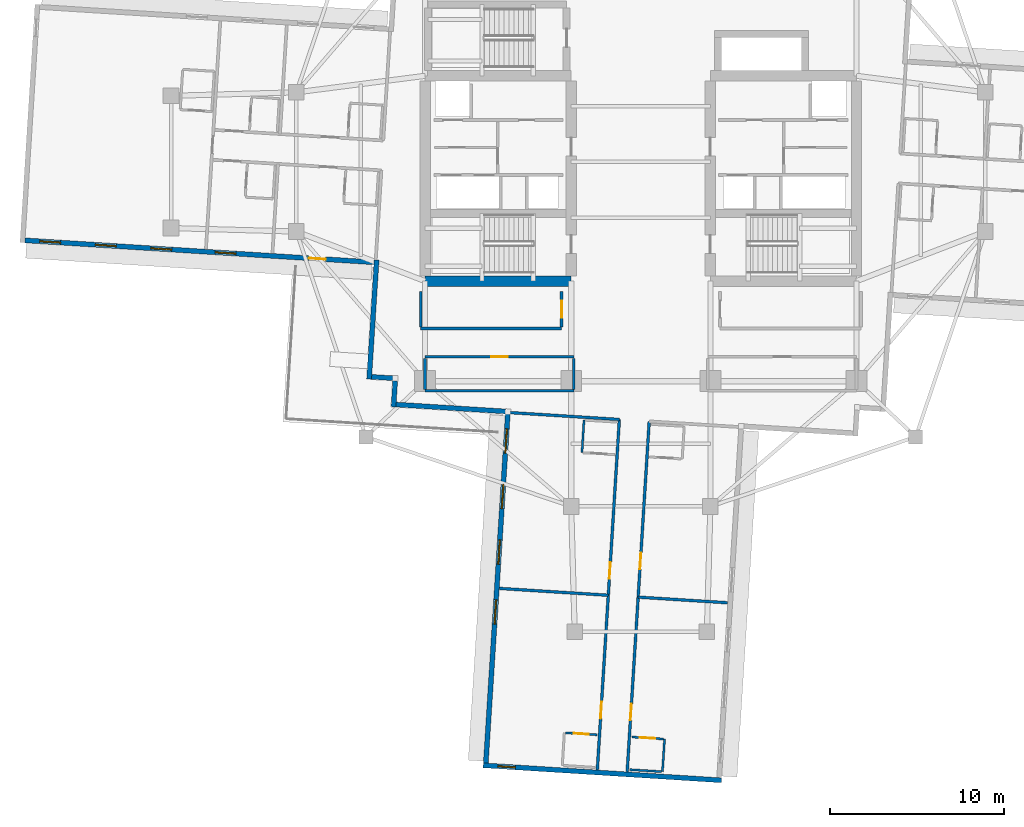
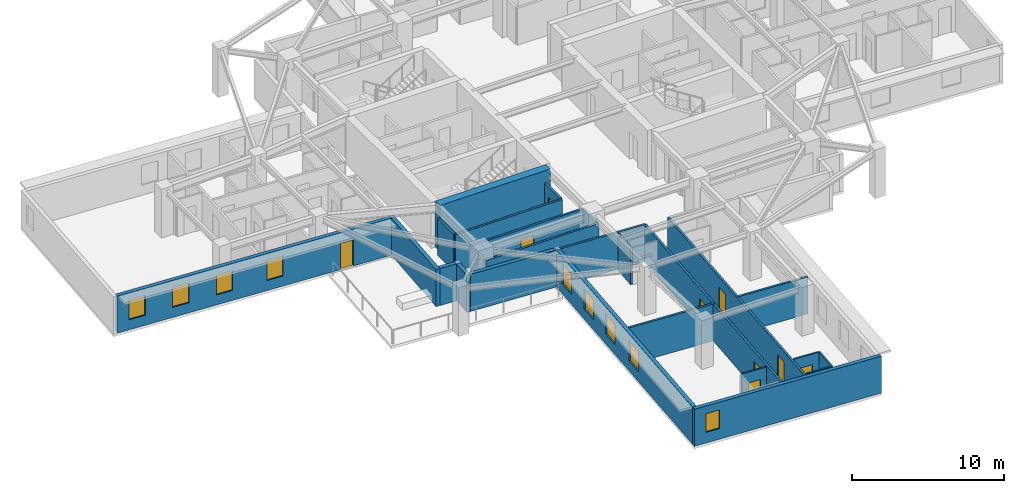
# One storey, part 3 of 14: 25 walls, 9 doors, 9 windows, 18 openings.
"""IFC4 building model written with IfcOpenShell, lengths in metres."""

from ifc_helpers import new_model, si_unit, direction, frame, frame_2d, origin, place, context, subcontext, project, spatial, rectangle, extrude, material, layer, layer_set, type_object, element, fill, save


model = new_model("IFC4")

# Units and contexts
model_context = context("Model", 3, precision=1e-05, world=origin(), true_north=direction((0.0, 1.0)))
body_context = subcontext(model_context, "Body", "Model", "MODEL_VIEW")
ifc_project = project(units=[si_unit("LENGTHUNIT", "METRE"), si_unit("AREAUNIT", "SQUARE_METRE"), si_unit("VOLUMEUNIT", "CUBIC_METRE"), si_unit("PLANEANGLEUNIT", "RADIAN"), si_unit("MASSUNIT", "GRAM", prefix="KILO")], contexts=[model_context])

# Site, building, storey
site_placement = place(None, origin())
site = spatial("IfcSite", under=ifc_project, at=site_placement, CompositionType="ELEMENT")
building_placement = place(site_placement, origin())
building = spatial("IfcBuilding", under=site, at=building_placement, Name="Qingluan Cross Belvedere", CompositionType="ELEMENT")
storey_placement = place(building_placement, frame((0.0, 0.0, 160.5)))
storey = spatial("IfcBuildingStorey", under=building, at=storey_placement, Name="L40", CompositionType="ELEMENT", Elevation=160.5)

# Walls
ifc_material_1 = material(Name="Concrete C60", Category="concrete")
ifc_layer_1 = layer(ifc_material_1, 0.60009765625, Name="CoreShearWall_600")
ifc_layer_set_1 = layer_set([ifc_layer_1], Name="Concrete C60")
wall_type_1 = type_object("IfcWallType", Name="CoreShearWall_600", PredefinedType="SHEAR", material=ifc_layer_set_1)
wall_1_placement = place(storey_placement, frame((-12.39990234375, -6.85009765625, 0.0), z_axis=(0.0, 0.0, 1.0), x_axis=(1.0, 0.0, 0.0)))
element("IfcWall", 1, at=wall_1_placement, inside=storey, type_object=wall_type_1, Name="Split core W shear wall L40-S", PredefinedType="SHEAR", context=body_context, shape_type="SweptSolid", body=[
    extrude(rectangle(XDim=8.39990234375, YDim=0.60009765625, at=frame_2d((4.199951171875, 0.0))), origin(), (0.0, 0.0, 1.0), 3.699951171875),
])
ifc_material_2 = material(Name="Gypsum plasterboard on steel stud acoustic partition", Category="steel")
ifc_layer_2 = layer(ifc_material_2, 0.159912109375, Name="CorridorPartition_160")
ifc_layer_set_2 = layer_set([ifc_layer_2], Name="Gypsum plasterboard on steel stud acoustic partition")
wall_type_2 = type_object("IfcWallType", Name="CorridorPartition_160", PredefinedType="PARTITIONING", material=ifc_layer_set_2)
wall_2_placement = place(storey_placement, frame((-12.39990234375, -13.14990234375, 0.0), z_axis=(0.0, 0.0, 1.0), x_axis=(1.0, 0.0, 0.0)))
element("IfcWall", 2, at=wall_2_placement, inside=storey, type_object=wall_type_2, Name="Partition L40:q_sw:S", PredefinedType="PARTITIONING", context=body_context, shape_type="SweptSolid", body=[
    extrude(rectangle(XDim=8.5498046875, YDim=0.159912109375, at=frame_2d((4.27490234375, 0.0))), origin(), (0.0, 0.0, 1.0), 2.9599609375),
])

# Wall, opening, door
wall_3_placement = place(storey_placement, frame((-12.39990234375, -11.199951171875, 0.0), z_axis=(0.0, 0.0, 1.0), x_axis=(1.0, 0.0, 0.0)))
wall_3 = element("IfcWall", 3, at=wall_3_placement, inside=storey, type_object=wall_type_2, Name="Partition L40:q_sw:N", PredefinedType="PARTITIONING", context=body_context, shape_type="SweptSolid", body=[
    extrude(rectangle(XDim=8.5498046875, YDim=0.159912109375, at=frame_2d((4.27490234375, 0.0))), origin(), (0.0, 0.0, 1.0), 2.9599609375),
])
opening_1_placement = place(wall_3_placement, frame((3.794921875, 0.0, 0.0)))
opening_1 = element("IfcOpeningElement", 4, at=opening_1_placement, cuts=wall_3, Name="Opening GD-10", PredefinedType="OPENING", context=body_context, shape_type="SweptSolid", body=[
    extrude(rectangle(XDim=0.9599609375, YDim=2.14990234375, at=frame_2d((0.47998046875, 1.074951171875))), frame((0.0, 0.08984375, 0.0), z_axis=(0.0, -1.0, 0.0), x_axis=(1.0, 0.0, 0.0)), (0.0, 0.0, 1.0), 0.179931640625),
])
ifc_material_3 = material(Name="Timber oak fire-rated acoustic guestroom door", Category="wood")
door_type_1 = type_object("IfcDoorType", Name="GuestEntryDoor_FD60", OperationType="NOTDEFINED", PredefinedType="DOOR", material=ifc_material_3)
door_1_placement = place(opening_1_placement, origin())
door_1 = element("IfcDoor", 5, at=door_1_placement, inside=storey, type_object=door_type_1, Name="Scholarly study salon L40 door", OperationType="SINGLE_SWING_RIGHT", OverallHeight=2.14990234375, OverallWidth=0.9599609375, PredefinedType="DOOR", context=body_context, shape_type="SweptSolid", body=[
    extrude(rectangle(XDim=0.9599609375, YDim=2.14990234375, at=frame_2d((0.47998046875, 1.074951171875))), frame((0.0, 0.02490234375, 0.0), z_axis=(0.0, -1.0, 0.0), x_axis=(1.0, 0.0, 0.0)), (0.0, 0.0, 1.0), 0.050048828125),
])
fill(opening_1, door_1)

# Walls
for number, where, z_axis, x_axis, name in (
    (6, (-12.39990234375, -13.06494140625, 0.0), (0.0, 0.0, 1.0), (0.0, 1.0, 0.0), "Partition L40:q_sw:W"),
    (7, (-3.85009765625, -13.06494140625, 0.0), (0.0, 0.0, 1.0), (0.0, 1.0, 0.0), "Partition L40:q_sw:E"),
):
    element("IfcWall", number, at=place(storey_placement, frame(where, z_axis=z_axis, x_axis=x_axis)), inside=storey, type_object=wall_type_2, Name=name, PredefinedType="PARTITIONING", context=body_context, shape_type="SweptSolid", body=[
        extrude(rectangle(XDim=1.780029296875, YDim=0.159912109375, at=frame_2d((0.89013671875, 0.0))), origin(), (0.0, 0.0, 1.0), 2.9599609375),
    ])
wall_4_placement = place(storey_placement, frame((-12.64990234375, -9.580078125, 0.0), z_axis=(0.0, 0.0, 1.0), x_axis=(1.0, 0.0, 0.0)))
element("IfcWall", 8, at=wall_4_placement, inside=storey, type_object=wall_type_2, Name="Partition L40:rec_st4_w:S", PredefinedType="PARTITIONING", context=body_context, shape_type="SweptSolid", body=[
    extrude(rectangle(XDim=8.099853515625, YDim=0.159912109375, at=frame_2d((4.0498046875, 0.0))), origin(), (0.0, 0.0, 1.0), 2.9599609375),
])
wall_5_placement = place(storey_placement, frame((-12.64990234375, -9.4951171875, 0.0), z_axis=(0.0, 0.0, 1.0), x_axis=(0.0, 1.0, 0.0)))
element("IfcWall", 9, at=wall_5_placement, inside=storey, type_object=wall_type_2, Name="Partition L40:rec_st4_w:W", PredefinedType="PARTITIONING", context=body_context, shape_type="SweptSolid", body=[
    extrude(rectangle(XDim=2.06005859375, YDim=0.159912109375, at=frame_2d((1.030029296875, 0.0))), origin(), (0.0, 0.0, 1.0), 2.9599609375),
])

# Wall, opening, door
wall_6_placement = place(storey_placement, frame((-4.550048828125, -9.4951171875, 0.0), z_axis=(0.0, 0.0, 1.0), x_axis=(0.0, 1.0, 0.0)))
wall_6 = element("IfcWall", 10, at=wall_6_placement, inside=storey, type_object=wall_type_2, Name="Partition L40:rec_st4_w:E", PredefinedType="PARTITIONING", context=body_context, shape_type="SweptSolid", body=[
    extrude(rectangle(XDim=2.06005859375, YDim=0.159912109375, at=frame_2d((1.030029296875, 0.0))), origin(), (0.0, 0.0, 1.0), 2.9599609375),
])
opening_2_placement = place(wall_6_placement, frame((0.550048828125, 0.0, 0.0)))
opening_2 = element("IfcOpeningElement", 11, at=opening_2_placement, cuts=wall_6, Name="Opening GD-10", PredefinedType="OPENING", context=body_context, shape_type="SweptSolid", body=[
    extrude(rectangle(XDim=0.9599609375, YDim=2.14990234375, at=frame_2d((0.47998046875, 1.074951171875))), frame((0.0, 0.08984375, 0.0), z_axis=(0.0, -1.0, 0.0), x_axis=(1.0, 0.0, 0.0)), (0.0, 0.0, 1.0), 0.179931640625),
])
door_2_placement = place(opening_2_placement, origin())
door_2 = element("IfcDoor", 12, at=door_2_placement, inside=storey, type_object=door_type_1, Name="Southwest club reading room L40 door", OperationType="SINGLE_SWING_LEFT", OverallHeight=2.14990234375, OverallWidth=0.9599609375, PredefinedType="DOOR", context=body_context, shape_type="SweptSolid", body=[
    extrude(rectangle(XDim=0.9599609375, YDim=2.14990234375, at=frame_2d((0.47998046875, 1.074951171875))), frame((0.0, 0.02490234375, 0.0), z_axis=(0.0, -1.0, 0.0), x_axis=(1.0, 0.0, 0.0)), (0.0, 0.0, 1.0), 0.050048828125),
])
fill(opening_2, door_2)

# Wall, openings, doors
wall_7_placement = place(storey_placement, frame((0.48486328125, -14.909912109375, 0.0), z_axis=(0.0, 0.0, 1.0), x_axis=(-0.062795509413, -0.998026414479, 0.0)))
wall_7 = element("IfcWall", 13, at=wall_7_placement, inside=storey, type_object=wall_type_2, Name="Partition L40:S:c0", PredefinedType="PARTITIONING", context=body_context, shape_type="SweptSolid", body=[
    extrude(rectangle(XDim=20.181884765625, YDim=0.159912109375, at=frame_2d((10.0908203125, 0.0))), origin(), (0.0, 0.0, 1.0), 2.9599609375),
])
opening_3_placement = place(wall_7_placement, frame((7.55908203125, 0.0, 0.0)))
opening_3 = element("IfcOpeningElement", 14, at=opening_3_placement, cuts=wall_7, Name="Opening GD-10", PredefinedType="OPENING", context=body_context, shape_type="SweptSolid", body=[
    extrude(rectangle(XDim=0.9599609375, YDim=2.14990234375, at=frame_2d((0.47998046875, 1.074951171875))), frame((0.0, 0.08984375, 0.0), z_axis=(0.0, -1.0, 0.0), x_axis=(1.0, 0.0, 0.0)), (0.0, 0.0, 1.0), 0.179931640625),
])
opening_4_placement = place(wall_7_placement, frame((16.260986328125, 0.0, 0.0)))
opening_4 = element("IfcOpeningElement", 15, at=opening_4_placement, cuts=wall_7, Name="Opening GD-10", PredefinedType="OPENING", context=body_context, shape_type="SweptSolid", body=[
    extrude(rectangle(XDim=0.9599609375, YDim=2.14990234375, at=frame_2d((0.47998046875, 1.074951171875))), frame((0.0, 0.08984375, 0.0), z_axis=(0.0, -1.0, 0.0), x_axis=(1.0, 0.0, 0.0)), (0.0, 0.0, 1.0), 0.179931640625),
])
door_3_placement = place(opening_3_placement, origin())
door_3 = element("IfcDoor", 16, at=door_3_placement, inside=storey, type_object=door_type_1, Name="Guest entry fire door 4017", OperationType="SINGLE_SWING_RIGHT", OverallHeight=2.14990234375, OverallWidth=0.9599609375, PredefinedType="DOOR", context=body_context, shape_type="SweptSolid", body=[
    extrude(rectangle(XDim=0.9599609375, YDim=2.14990234375, at=frame_2d((0.47998046875, 1.074951171875))), frame((0.0, 0.02490234375, 0.0), z_axis=(0.0, -1.0, 0.0), x_axis=(1.0, 0.0, 0.0)), (0.0, 0.0, 1.0), 0.050048828125),
])
fill(opening_3, door_3)
door_4_placement = place(opening_4_placement, origin())
door_4 = element("IfcDoor", 17, at=door_4_placement, inside=storey, type_object=door_type_1, Name="Guest entry fire door 4018", OperationType="SINGLE_SWING_RIGHT", OverallHeight=2.14990234375, OverallWidth=0.9599609375, PredefinedType="DOOR", context=body_context, shape_type="SweptSolid", body=[
    extrude(rectangle(XDim=0.9599609375, YDim=2.14990234375, at=frame_2d((0.47998046875, 1.074951171875))), frame((0.0, 0.02490234375, 0.0), z_axis=(0.0, -1.0, 0.0), x_axis=(1.0, 0.0, 0.0)), (0.0, 0.0, 1.0), 0.050048828125),
])
fill(opening_4, door_4)

# Wall
wall_8_placement = place(storey_placement, frame((-0.15087890625, -25.013916015625, 0.0), z_axis=(0.0, 0.0, 1.0), x_axis=(0.998026864455, -0.06278835741, 0.0)))
element("IfcWall", 18, at=wall_8_placement, inside=storey, type_object=wall_type_2, Name="Partition L40:S:d0_0", PredefinedType="PARTITIONING", context=body_context, shape_type="SweptSolid", body=[
    extrude(rectangle(XDim=5.152099609375, YDim=0.159912109375, at=frame_2d((2.576171875, 0.0))), origin(), (0.0, 0.0, 1.0), 2.9599609375),
])

# Wall, openings, doors
wall_9_placement = place(storey_placement, frame((-1.231689453125, -14.802001953125, 0.0), z_axis=(0.0, 0.0, 1.0), x_axis=(-0.062795509413, -0.998026414479, 0.0)))
wall_9 = element("IfcWall", 19, at=wall_9_placement, inside=storey, type_object=wall_type_2, Name="Partition L40:S:c1", PredefinedType="PARTITIONING", context=body_context, shape_type="SweptSolid", body=[
    extrude(rectangle(XDim=20.181884765625, YDim=0.159912109375, at=frame_2d((10.0908203125, 0.0))), origin(), (0.0, 0.0, 1.0), 2.9599609375),
])
opening_5_placement = place(wall_9_placement, frame((8.2119140625, 0.0, 0.0)))
opening_5 = element("IfcOpeningElement", 20, at=opening_5_placement, cuts=wall_9, Name="Opening GD-10", PredefinedType="OPENING", context=body_context, shape_type="SweptSolid", body=[
    extrude(rectangle(XDim=0.9599609375, YDim=2.14990234375, at=frame_2d((0.47998046875, 1.074951171875))), frame((0.0, 0.08984375, 0.0), z_axis=(0.0, -1.0, 0.0), x_axis=(1.0, 0.0, 0.0)), (0.0, 0.0, 1.0), 0.179931640625),
])
opening_6_placement = place(wall_9_placement, frame((16.260986328125, 0.0, 0.0)))
opening_6 = element("IfcOpeningElement", 21, at=opening_6_placement, cuts=wall_9, Name="Opening GD-10", PredefinedType="OPENING", context=body_context, shape_type="SweptSolid", body=[
    extrude(rectangle(XDim=0.9599609375, YDim=2.14990234375, at=frame_2d((0.47998046875, 1.074951171875))), frame((0.0, 0.08984375, 0.0), z_axis=(0.0, -1.0, 0.0), x_axis=(1.0, 0.0, 0.0)), (0.0, 0.0, 1.0), 0.179931640625),
])
door_5_placement = place(opening_5_placement, origin())
door_5 = element("IfcDoor", 22, at=door_5_placement, inside=storey, type_object=door_type_1, Name="Guest entry fire door 4019", OperationType="SINGLE_SWING_RIGHT", OverallHeight=2.14990234375, OverallWidth=0.9599609375, PredefinedType="DOOR", context=body_context, shape_type="SweptSolid", body=[
    extrude(rectangle(XDim=0.9599609375, YDim=2.14990234375, at=frame_2d((0.47998046875, 1.074951171875))), frame((0.0, 0.02490234375, 0.0), z_axis=(0.0, -1.0, 0.0), x_axis=(1.0, 0.0, 0.0)), (0.0, 0.0, 1.0), 0.050048828125),
])
fill(opening_5, door_5)
door_6_placement = place(opening_6_placement, origin())
door_6 = element("IfcDoor", 23, at=door_6_placement, inside=storey, type_object=door_type_1, Name="Guest entry fire door 4020", OperationType="SINGLE_SWING_RIGHT", OverallHeight=2.14990234375, OverallWidth=0.9599609375, PredefinedType="DOOR", context=body_context, shape_type="SweptSolid", body=[
    extrude(rectangle(XDim=0.9599609375, YDim=2.14990234375, at=frame_2d((0.47998046875, 1.074951171875))), frame((0.0, 0.02490234375, 0.0), z_axis=(0.0, -1.0, 0.0), x_axis=(1.0, 0.0, 0.0)), (0.0, 0.0, 1.0), 0.050048828125),
])
fill(opening_6, door_6)

# Walls
wall_10_placement = place(storey_placement, frame((-1.231689453125, -14.802001953125, 0.0), z_axis=(0.0, 0.0, 1.0), x_axis=(-0.998024810671, 0.062820993988, 0.0)))
element("IfcWall", 24, at=wall_10_placement, inside=storey, type_object=wall_type_2, Name="Partition L40:S:s1", PredefinedType="PARTITIONING", context=body_context, shape_type="SweptSolid", body=[
    extrude(rectangle(XDim=6.420166015625, YDim=0.159912109375, at=frame_2d((3.2099609375, 0.0))), origin(), (0.0, 0.0, 1.0), 2.9599609375),
])
wall_11_placement = place(storey_placement, frame((-1.867431640625, -24.906005859375, 0.0), z_axis=(0.0, 0.0, 1.0), x_axis=(-0.998027050566, 0.062785399086, 0.0)))
element("IfcWall", 25, at=wall_11_placement, inside=storey, type_object=wall_type_2, Name="Partition L40:S:d1_0", PredefinedType="PARTITIONING", context=body_context, shape_type="SweptSolid", body=[
    extrude(rectangle(XDim=6.272216796875, YDim=0.159912109375, at=frame_2d((3.13623046875, 0.0))), origin(), (0.0, 0.0, 1.0), 2.9599609375),
])

# Wall, opening, door
ifc_material_4 = material(Name="Moisture-resistant gypsum board lining")
ifc_layer_3 = layer(ifc_material_4, 0.1201171875, Name="EnsuiteWetPartition_120")
ifc_layer_set_3 = layer_set([ifc_layer_3], Name="Moisture-resistant gypsum board lining")
wall_type_3 = type_object("IfcWallType", Name="EnsuiteWetPartition_120", PredefinedType="PARTITIONING", material=ifc_layer_set_3)
wall_12_placement = place(storey_placement, frame((-0.516357421875, -33.052734375, 0.0), z_axis=(0.0, 0.0, 1.0), x_axis=(0.998027443946, -0.062779145668, 0.0)))
wall_12 = element("IfcWall", 26, at=wall_12_placement, inside=storey, type_object=wall_type_3, Name="Partition L40:S:bs0_1", PredefinedType="PARTITIONING", context=body_context, shape_type="SweptSolid", body=[
    extrude(rectangle(XDim=1.820068359375, YDim=0.1201171875, at=frame_2d((0.91015625, 0.0))), origin(), (0.0, 0.0, 1.0), 2.9599609375),
])
opening_7_placement = place(wall_12_placement, frame((0.469970703125, 0.0, 0.0)))
opening_7 = element("IfcOpeningElement", 27, at=opening_7_placement, cuts=wall_12, Name="Opening BD-09", PredefinedType="OPENING", context=body_context, shape_type="SweptSolid", body=[
    extrude(rectangle(XDim=0.8798828125, YDim=2.10009765625, at=frame_2d((0.43994140625, 1.050048828125))), frame((0.0, 0.070068359375, 0.0), z_axis=(0.0, -1.0, 0.0), x_axis=(1.0, 0.0, 0.0)), (0.0, 0.0, 1.0), 0.14013671875),
])
ifc_material_5 = material(Name="Moisture-sealed timber en-suite door", Category="wood")
door_type_2 = type_object("IfcDoorType", Name="BathroomDoor_880", OperationType="NOTDEFINED", PredefinedType="DOOR", material=ifc_material_5)
door_7_placement = place(opening_7_placement, origin())
door_7 = element("IfcDoor", 28, at=door_7_placement, inside=storey, type_object=door_type_2, Name="Bathroom door 4018", OperationType="SINGLE_SWING_LEFT", OverallHeight=2.10009765625, OverallWidth=0.8798828125, PredefinedType="DOOR", context=body_context, shape_type="SweptSolid", body=[
    extrude(rectangle(XDim=0.8798828125, YDim=2.10009765625, at=frame_2d((0.43994140625, 1.050048828125))), frame((0.0, 0.02490234375, 0.0), z_axis=(0.0, -1.0, 0.0), x_axis=(1.0, 0.0, 0.0)), (0.0, 0.0, 1.0), 0.050048828125),
])
fill(opening_7, door_7)

# Walls
wall_13_placement = place(storey_placement, frame((-0.634521484375, -34.92919921875, 0.0), z_axis=(0.0, 0.0, 1.0), x_axis=(0.998027443946, -0.062779145668, 0.0)))
element("IfcWall", 29, at=wall_13_placement, inside=storey, type_object=wall_type_3, Name="Partition L40:S:bw0_1", PredefinedType="PARTITIONING", context=body_context, shape_type="SweptSolid", body=[
    extrude(rectangle(XDim=1.820068359375, YDim=0.1201171875, at=frame_2d((0.91015625, 0.0))), origin(), (0.0, 0.0, 1.0), 2.9599609375),
])
for number, where, z_axis, x_axis, name in (
    (30, (1.364990234375, -33.171142578125, 0.0), (0.0, 0.0, 1.0), (-0.062855297722, -0.998022650819, 0.0), "Partition L40:S:bn0_1"),
    (31, (-3.262939453125, -14.83447265625, 0.0), (0.0, 0.0, 1.0), (-0.062725942896, -0.998030789148, 0.0), "Partition L40:S:bc1_0"),
):
    element("IfcWall", number, at=place(storey_placement, frame(where, z_axis=z_axis, x_axis=x_axis)), inside=storey, type_object=wall_type_3, Name=name, PredefinedType="PARTITIONING", context=body_context, shape_type="SweptSolid", body=[
        extrude(rectangle(XDim=1.8798828125, YDim=0.1201171875, at=frame_2d((0.93994140625, 0.0))), origin(), (0.0, 0.0, 1.0), 2.9599609375),
    ])

# Wall, opening, door
wall_14_placement = place(storey_placement, frame((-4.328857421875, -32.81298828125, 0.0), z_axis=(0.0, 0.0, 1.0), x_axis=(0.998027443946, -0.062779145668, 0.0)))
wall_14 = element("IfcWall", 32, at=wall_14_placement, inside=storey, type_object=wall_type_3, Name="Partition L40:S:bs1_1", PredefinedType="PARTITIONING", context=body_context, shape_type="SweptSolid", body=[
    extrude(rectangle(XDim=1.820068359375, YDim=0.1201171875, at=frame_2d((0.91015625, 0.0))), origin(), (0.0, 0.0, 1.0), 2.9599609375),
])
opening_8_placement = place(wall_14_placement, frame((0.469970703125, 0.0, 0.0)))
opening_8 = element("IfcOpeningElement", 33, at=opening_8_placement, cuts=wall_14, Name="Opening BD-09", PredefinedType="OPENING", context=body_context, shape_type="SweptSolid", body=[
    extrude(rectangle(XDim=0.8798828125, YDim=2.10009765625, at=frame_2d((0.43994140625, 1.050048828125))), frame((0.0, 0.070068359375, 0.0), z_axis=(0.0, -1.0, 0.0), x_axis=(1.0, 0.0, 0.0)), (0.0, 0.0, 1.0), 0.14013671875),
])
door_8_placement = place(opening_8_placement, origin())
door_8 = element("IfcDoor", 34, at=door_8_placement, inside=storey, type_object=door_type_2, Name="Bathroom door 4020", OperationType="SINGLE_SWING_LEFT", OverallHeight=2.10009765625, OverallWidth=0.8798828125, PredefinedType="DOOR", context=body_context, shape_type="SweptSolid", body=[
    extrude(rectangle(XDim=0.8798828125, YDim=2.10009765625, at=frame_2d((0.43994140625, 1.050048828125))), frame((0.0, 0.02490234375, 0.0), z_axis=(0.0, -1.0, 0.0), x_axis=(1.0, 0.0, 0.0)), (0.0, 0.0, 1.0), 0.050048828125),
])
fill(opening_8, door_8)

# Wall, openings, windows, door
ifc_material_6 = material(Name="Precast concrete C45", Category="concrete")
ifc_layer_4 = layer(ifc_material_6, 0.280029296875, Name="PrecastFacadeWall_280")
ifc_layer_set_4 = layer_set([ifc_layer_4], Name="Precast concrete C45")
wall_type_4 = type_object("IfcWallType", Name="PrecastFacadeWall_280", PredefinedType="STANDARD", material=ifc_layer_set_4)
wall_15_placement = place(storey_placement, frame((-35.392822265625, -4.506591796875, 0.0), z_axis=(0.0, 0.0, 1.0), x_axis=(0.998027116198, -0.062784355807, 0.0)))
wall_15 = element("IfcWall", 35, at=wall_15_placement, inside=storey, type_object=wall_type_4, Name="Facade wall L40-WB", PredefinedType="STANDARD", context=body_context, shape_type="SweptSolid", body=[
    extrude(rectangle(XDim=20.099853515625, YDim=0.280029296875, at=frame_2d((10.0498046875, 0.0))), origin(), (0.0, 0.0, 1.0), 2.969970703125),
])
opening_9_placement = place(wall_15_placement, frame((0.85009765625, 0.0, 0.800048828125)))
opening_9 = element("IfcOpeningElement", 36, at=opening_9_placement, cuts=wall_15, Name="Opening W-02", PredefinedType="OPENING", context=body_context, shape_type="SweptSolid", body=[
    extrude(rectangle(XDim=1.199951171875, YDim=1.60009765625, at=frame_2d((0.60009765625, 0.800048828125))), frame((0.0, 0.14990234375, 0.0), z_axis=(0.0, -1.0, 0.0), x_axis=(1.0, 0.0, 0.0)), (0.0, 0.0, 1.0), 0.300048828125),
])
opening_10_placement = place(wall_15_placement, frame((4.050048828125, 0.0, 0.800048828125)))
opening_10 = element("IfcOpeningElement", 37, at=opening_10_placement, cuts=wall_15, Name="Opening W-02", PredefinedType="OPENING", context=body_context, shape_type="SweptSolid", body=[
    extrude(rectangle(XDim=1.199951171875, YDim=1.60009765625, at=frame_2d((0.60009765625, 0.800048828125))), frame((0.0, 0.14990234375, 0.0), z_axis=(0.0, -1.0, 0.0), x_axis=(1.0, 0.0, 0.0)), (0.0, 0.0, 1.0), 0.300048828125),
])
opening_11_placement = place(wall_15_placement, frame((7.25, 0.0, 0.800048828125)))
opening_11 = element("IfcOpeningElement", 38, at=opening_11_placement, cuts=wall_15, Name="Opening W-02", PredefinedType="OPENING", context=body_context, shape_type="SweptSolid", body=[
    extrude(rectangle(XDim=1.199951171875, YDim=1.60009765625, at=frame_2d((0.60009765625, 0.800048828125))), frame((0.0, 0.14990234375, 0.0), z_axis=(0.0, -1.0, 0.0), x_axis=(1.0, 0.0, 0.0)), (0.0, 0.0, 1.0), 0.300048828125),
])
opening_12_placement = place(wall_15_placement, frame((10.949951171875, 0.0, 0.800048828125)))
opening_12 = element("IfcOpeningElement", 39, at=opening_12_placement, cuts=wall_15, Name="Opening W-02", PredefinedType="OPENING", context=body_context, shape_type="SweptSolid", body=[
    extrude(rectangle(XDim=1.199951171875, YDim=1.60009765625, at=frame_2d((0.60009765625, 0.800048828125))), frame((0.0, 0.14990234375, 0.0), z_axis=(0.0, -1.0, 0.0), x_axis=(1.0, 0.0, 0.0)), (0.0, 0.0, 1.0), 0.300048828125),
])
opening_13_placement = place(wall_15_placement, frame((16.35009765625, 0.0, 0.0)))
opening_13 = element("IfcOpeningElement", 40, at=opening_13_placement, cuts=wall_15, Name="Opening WD-10", PredefinedType="OPENING", context=body_context, shape_type="SweptSolid", body=[
    extrude(rectangle(XDim=0.9599609375, YDim=2.10009765625, at=frame_2d((0.47998046875, 1.050048828125))), frame((0.0, 0.14990234375, 0.0), z_axis=(0.0, -1.0, 0.0), x_axis=(1.0, 0.0, 0.0)), (0.0, 0.0, 1.0), 0.300048828125),
])
ifc_material_7 = material(Name="Thermally broken triple Low-E glass in aluminium frame", Category="aluminium")
window_type_1 = type_object("IfcWindowType", Name="TriRibbonWin_1200x1600", PartitioningType="SINGLE_PANEL", PredefinedType="WINDOW", material=ifc_material_7)
window_1_placement = place(opening_9_placement, origin())
window_1 = element("IfcWindow", 41, at=window_1_placement, inside=storey, type_object=window_type_1, Name="Ribbon window L40-WB-1", OverallHeight=1.60009765625, OverallWidth=1.199951171875, PartitioningType="SINGLE_PANEL", PredefinedType="WINDOW", context=body_context, shape_type="SweptSolid", body=[
    extrude(rectangle(XDim=1.199951171875, YDim=1.60009765625, at=frame_2d((0.60009765625, 0.800048828125))), frame((0.0, 0.030029296875, 0.0), z_axis=(0.0, -1.0, 0.0), x_axis=(1.0, 0.0, 0.0)), (0.0, 0.0, 1.0), 0.06005859375),
])
fill(opening_9, window_1)
window_2_placement = place(opening_10_placement, origin())
window_2 = element("IfcWindow", 42, at=window_2_placement, inside=storey, type_object=window_type_1, Name="Ribbon window L40-WB-2", OverallHeight=1.60009765625, OverallWidth=1.199951171875, PartitioningType="SINGLE_PANEL", PredefinedType="WINDOW", context=body_context, shape_type="SweptSolid", body=[
    extrude(rectangle(XDim=1.199951171875, YDim=1.60009765625, at=frame_2d((0.60009765625, 0.800048828125))), frame((0.0, 0.030029296875, 0.0), z_axis=(0.0, -1.0, 0.0), x_axis=(1.0, 0.0, 0.0)), (0.0, 0.0, 1.0), 0.06005859375),
])
fill(opening_10, window_2)
window_3_placement = place(opening_11_placement, origin())
window_3 = element("IfcWindow", 43, at=window_3_placement, inside=storey, type_object=window_type_1, Name="Ribbon window L40-WB-3", OverallHeight=1.60009765625, OverallWidth=1.199951171875, PartitioningType="SINGLE_PANEL", PredefinedType="WINDOW", context=body_context, shape_type="SweptSolid", body=[
    extrude(rectangle(XDim=1.199951171875, YDim=1.60009765625, at=frame_2d((0.60009765625, 0.800048828125))), frame((0.0, 0.030029296875, 0.0), z_axis=(0.0, -1.0, 0.0), x_axis=(1.0, 0.0, 0.0)), (0.0, 0.0, 1.0), 0.06005859375),
])
fill(opening_11, window_3)
window_4_placement = place(opening_12_placement, origin())
window_4 = element("IfcWindow", 44, at=window_4_placement, inside=storey, type_object=window_type_1, Name="Ribbon window L40-WB-4", OverallHeight=1.60009765625, OverallWidth=1.199951171875, PartitioningType="SINGLE_PANEL", PredefinedType="WINDOW", context=body_context, shape_type="SweptSolid", body=[
    extrude(rectangle(XDim=1.199951171875, YDim=1.60009765625, at=frame_2d((0.60009765625, 0.800048828125))), frame((0.0, 0.030029296875, 0.0), z_axis=(0.0, -1.0, 0.0), x_axis=(1.0, 0.0, 0.0)), (0.0, 0.0, 1.0), 0.06005859375),
])
fill(opening_12, window_4)
ifc_material_8 = material(Name="Thermally broken aluminium and Low-E glass", Category="aluminium")
door_type_3 = type_object("IfcDoorType", Name="WinterGardenDoor_096", OperationType="NOTDEFINED", PredefinedType="DOOR", material=ifc_material_8)
door_9_placement = place(opening_13_placement, origin())
door_9 = element("IfcDoor", 45, at=door_9_placement, inside=storey, type_object=door_type_3, Name="Outdoor terrace access door L40-spi", OperationType="SINGLE_SWING_LEFT", OverallHeight=2.10009765625, OverallWidth=0.9599609375, PredefinedType="DOOR", context=body_context, shape_type="SweptSolid", body=[
    extrude(rectangle(XDim=0.9599609375, YDim=2.10009765625, at=frame_2d((0.47998046875, 1.050048828125))), frame((0.0, 0.02490234375, 0.0), z_axis=(0.0, -1.0, 0.0), x_axis=(1.0, 0.0, 0.0)), (0.0, 0.0, 1.0), 0.050048828125),
])
fill(opening_13, door_9)

# Wall, openings, windows
wall_16_placement = place(storey_placement, frame((-7.644775390625, -14.488525390625, 0.0), z_axis=(0.0, 0.0, 1.0), x_axis=(-0.06279645424, -0.99802635503, 0.0)))
wall_16 = element("IfcWall", 46, at=wall_16_placement, inside=storey, type_object=wall_type_4, Name="Facade wall L40-SA", PredefinedType="STANDARD", context=body_context, shape_type="SweptSolid", body=[
    extrude(rectangle(XDim=20.099853515625, YDim=0.280029296875, at=frame_2d((10.0498046875, 0.0))), origin(), (0.0, 0.0, 1.0), 2.969970703125),
])
opening_14_placement = place(wall_16_placement, frame((0.85009765625, 0.0, 0.800048828125)))
opening_14 = element("IfcOpeningElement", 47, at=opening_14_placement, cuts=wall_16, Name="Opening W-01", PredefinedType="OPENING", context=body_context, shape_type="SweptSolid", body=[
    extrude(rectangle(XDim=1.39990234375, YDim=1.60009765625, at=frame_2d((0.699951171875, 0.800048828125))), frame((0.0, 0.14990234375, 0.0), z_axis=(0.0, -1.0, 0.0), x_axis=(1.0, 0.0, 0.0)), (0.0, 0.0, 1.0), 0.300048828125),
])
opening_15_placement = place(wall_16_placement, frame((4.050048828125, 0.0, 0.800048828125)))
opening_15 = element("IfcOpeningElement", 48, at=opening_15_placement, cuts=wall_16, Name="Opening W-01", PredefinedType="OPENING", context=body_context, shape_type="SweptSolid", body=[
    extrude(rectangle(XDim=1.39990234375, YDim=1.60009765625, at=frame_2d((0.699951171875, 0.800048828125))), frame((0.0, 0.14990234375, 0.0), z_axis=(0.0, -1.0, 0.0), x_axis=(1.0, 0.0, 0.0)), (0.0, 0.0, 1.0), 0.300048828125),
])
opening_16_placement = place(wall_16_placement, frame((7.25, 0.0, 0.800048828125)))
opening_16 = element("IfcOpeningElement", 49, at=opening_16_placement, cuts=wall_16, Name="Opening W-01", PredefinedType="OPENING", context=body_context, shape_type="SweptSolid", body=[
    extrude(rectangle(XDim=1.39990234375, YDim=1.60009765625, at=frame_2d((0.699951171875, 0.800048828125))), frame((0.0, 0.14990234375, 0.0), z_axis=(0.0, -1.0, 0.0), x_axis=(1.0, 0.0, 0.0)), (0.0, 0.0, 1.0), 0.300048828125),
])
opening_17_placement = place(wall_16_placement, frame((10.699951171875, 0.0, 0.800048828125)))
opening_17 = element("IfcOpeningElement", 50, at=opening_17_placement, cuts=wall_16, Name="Opening W-01", PredefinedType="OPENING", context=body_context, shape_type="SweptSolid", body=[
    extrude(rectangle(XDim=1.39990234375, YDim=1.60009765625, at=frame_2d((0.699951171875, 0.800048828125))), frame((0.0, 0.14990234375, 0.0), z_axis=(0.0, -1.0, 0.0), x_axis=(1.0, 0.0, 0.0)), (0.0, 0.0, 1.0), 0.300048828125),
])
ifc_material_9 = material(Name="Thermally broken triple Low-E glass in aluminium frame", Category="aluminium")
window_type_2 = type_object("IfcWindowType", Name="TriRibbonWin_1400x1600", PartitioningType="SINGLE_PANEL", PredefinedType="WINDOW", material=ifc_material_9)
window_5_placement = place(opening_14_placement, origin())
window_5 = element("IfcWindow", 51, at=window_5_placement, inside=storey, type_object=window_type_2, Name="Ribbon window L40-SA-1", OverallHeight=1.60009765625, OverallWidth=1.39990234375, PartitioningType="SINGLE_PANEL", PredefinedType="WINDOW", context=body_context, shape_type="SweptSolid", body=[
    extrude(rectangle(XDim=1.39990234375, YDim=1.60009765625, at=frame_2d((0.699951171875, 0.800048828125))), frame((0.0, 0.030029296875, 0.0), z_axis=(0.0, -1.0, 0.0), x_axis=(1.0, 0.0, 0.0)), (0.0, 0.0, 1.0), 0.06005859375),
])
fill(opening_14, window_5)
window_6_placement = place(opening_15_placement, origin())
window_6 = element("IfcWindow", 52, at=window_6_placement, inside=storey, type_object=window_type_2, Name="Ribbon window L40-SA-2", OverallHeight=1.60009765625, OverallWidth=1.39990234375, PartitioningType="SINGLE_PANEL", PredefinedType="WINDOW", context=body_context, shape_type="SweptSolid", body=[
    extrude(rectangle(XDim=1.39990234375, YDim=1.60009765625, at=frame_2d((0.699951171875, 0.800048828125))), frame((0.0, 0.030029296875, 0.0), z_axis=(0.0, -1.0, 0.0), x_axis=(1.0, 0.0, 0.0)), (0.0, 0.0, 1.0), 0.06005859375),
])
fill(opening_15, window_6)
window_7_placement = place(opening_16_placement, origin())
window_7 = element("IfcWindow", 53, at=window_7_placement, inside=storey, type_object=window_type_2, Name="Ribbon window L40-SA-3", OverallHeight=1.60009765625, OverallWidth=1.39990234375, PartitioningType="SINGLE_PANEL", PredefinedType="WINDOW", context=body_context, shape_type="SweptSolid", body=[
    extrude(rectangle(XDim=1.39990234375, YDim=1.60009765625, at=frame_2d((0.699951171875, 0.800048828125))), frame((0.0, 0.030029296875, 0.0), z_axis=(0.0, -1.0, 0.0), x_axis=(1.0, 0.0, 0.0)), (0.0, 0.0, 1.0), 0.06005859375),
])
fill(opening_16, window_7)
window_8_placement = place(opening_17_placement, origin())
window_8 = element("IfcWindow", 54, at=window_8_placement, inside=storey, type_object=window_type_2, Name="Ribbon window L40-SA-4", OverallHeight=1.60009765625, OverallWidth=1.39990234375, PartitioningType="SINGLE_PANEL", PredefinedType="WINDOW", context=body_context, shape_type="SweptSolid", body=[
    extrude(rectangle(XDim=1.39990234375, YDim=1.60009765625, at=frame_2d((0.699951171875, 0.800048828125))), frame((0.0, 0.030029296875, 0.0), z_axis=(0.0, -1.0, 0.0), x_axis=(1.0, 0.0, 0.0)), (0.0, 0.0, 1.0), 0.06005859375),
])
fill(opening_17, window_8)

# Wall, opening, window
wall_17_placement = place(storey_placement, frame((-9.055419921875, -34.6796875, 0.0), z_axis=(0.0, 0.0, 1.0), x_axis=(0.998026318072, -0.062797041623, 0.0)))
wall_17 = element("IfcWall", 55, at=wall_17_placement, inside=storey, type_object=wall_type_4, Name="Arm tip precast facade wall L40-S", PredefinedType="STANDARD", context=body_context, shape_type="SweptSolid", body=[
    extrude(rectangle(XDim=13.719970703125, YDim=0.280029296875, at=frame_2d((6.85986328125, 0.0))), origin(), (0.0, 0.0, 1.0), 2.969970703125),
])
opening_18_placement = place(wall_17_placement, frame((0.85009765625, 0.0, 0.85009765625)))
opening_18 = element("IfcOpeningElement", 56, at=opening_18_placement, cuts=wall_17, Name="Opening W-03", PredefinedType="OPENING", context=body_context, shape_type="SweptSolid", body=[
    extrude(rectangle(XDim=1.0, YDim=1.5, at=frame_2d((0.5, 0.75))), frame((0.0, 0.14990234375, 0.0), z_axis=(0.0, -1.0, 0.0), x_axis=(1.0, 0.0, 0.0)), (0.0, 0.0, 1.0), 0.300048828125),
])
ifc_material_10 = material(Name="Thermally broken triple Low-E glass in aluminium frame", Category="aluminium")
window_type_3 = type_object("IfcWindowType", Name="TriApexWin_1000x1500", PartitioningType="SINGLE_PANEL", PredefinedType="WINDOW", material=ifc_material_10)
window_9_placement = place(opening_18_placement, origin())
window_9 = element("IfcWindow", 57, at=window_9_placement, inside=storey, type_object=window_type_3, Name="Arm tip triangular window L40-S", OverallHeight=1.5, OverallWidth=1.0, PartitioningType="SINGLE_PANEL", PredefinedType="WINDOW", context=body_context, shape_type="SweptSolid", body=[
    extrude(rectangle(XDim=1.0, YDim=1.5, at=frame_2d((0.5, 0.75))), frame((0.0, 0.030029296875, 0.0), z_axis=(0.0, -1.0, 0.0), x_axis=(1.0, 0.0, 0.0)), (0.0, 0.0, 1.0), 0.06005859375),
])
fill(opening_18, window_9)

# Walls
wall_18_placement = place(storey_placement, frame((-15.18408203125, -5.6376953125, 0.0), z_axis=(0.0, 0.0, 1.0), x_axis=(-0.062779317195, -0.998027433156, 0.0)))
element("IfcWall", 58, at=wall_18_placement, inside=storey, type_object=wall_type_4, Name="Corner wall L40-SW1", PredefinedType="STANDARD", context=body_context, shape_type="SweptSolid", body=[
    extrude(rectangle(XDim=6.85986328125, YDim=0.280029296875, at=frame_2d((3.429931640625, 0.0))), origin(), (0.0, 0.0, 1.0), 2.969970703125),
])
wall_19_placement = place(storey_placement, frame((-15.46630859375, -12.353271484375, 0.0), z_axis=(0.0, 0.0, 1.0), x_axis=(0.998024450254, -0.062826719603, 0.0)))
element("IfcWall", 59, at=wall_19_placement, inside=storey, type_object=wall_type_4, Name="Corner wall L40-SW2", PredefinedType="STANDARD", context=body_context, shape_type="SweptSolid", body=[
    extrude(rectangle(XDim=1.22021484375, YDim=0.280029296875, at=frame_2d((0.610107421875, 0.0))), origin(), (0.0, 0.0, 1.0), 2.969970703125),
])
wall_20_placement = place(storey_placement, frame((-14.11767578125, -12.578369140625, 0.0), z_axis=(0.0, 0.0, 1.0), x_axis=(-0.062824119533, -0.998024613927, 0.0)))
element("IfcWall", 60, at=wall_20_placement, inside=storey, type_object=wall_type_4, Name="Corner wall L40-SW3", PredefinedType="STANDARD", context=body_context, shape_type="SweptSolid", body=[
    extrude(rectangle(XDim=1.5, YDim=0.280029296875, at=frame_2d((0.75, 0.0))), origin(), (0.0, 0.0, 1.0), 2.969970703125),
])
wall_21_placement = place(storey_placement, frame((-14.063232421875, -13.944580078125, 0.0), z_axis=(0.0, 0.0, 1.0), x_axis=(0.998027314704, -0.062781200242, 0.0)))
element("IfcWall", 61, at=wall_21_placement, inside=storey, type_object=wall_type_4, Name="Corner wall L40-SW4", PredefinedType="STANDARD", context=body_context, shape_type="SweptSolid", body=[
    extrude(rectangle(XDim=6.2998046875, YDim=0.280029296875, at=frame_2d((3.14990234375, 0.0))), origin(), (0.0, 0.0, 1.0), 2.969970703125),
])

save(model, "model.ifc")
